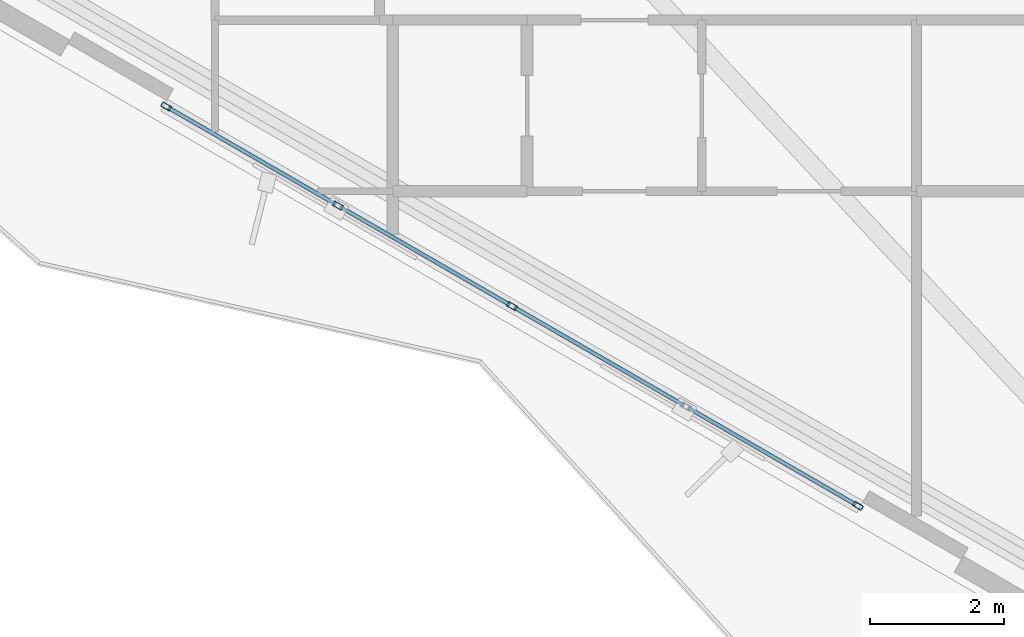
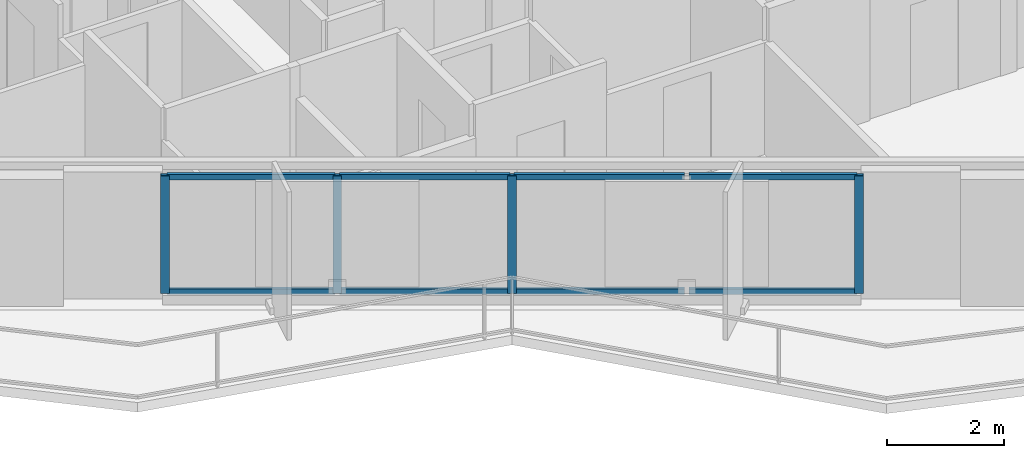
# One storey, part 2 of 18: 12 members, 1 element without a shape of its own.
"""IFC4 building model written with IfcOpenShell, lengths in metres."""

from ifc_helpers import new_model, si_unit, direction, frame, origin, origin_2d, place, context, subcontext, project, spatial, hollow_rectangle, extrude, material, layer, layer_set, material_profile, profile_set, type_object, element, aggregate, save


model = new_model("IFC4")

# Units and contexts
model_context = context("Model", 3, precision=1e-05, world=origin(), true_north=direction((0.0, 1.0)))
body_context = subcontext(model_context, "Body", "Model", "MODEL_VIEW")
ifc_project = project(units=[si_unit("LENGTHUNIT", "METRE"), si_unit("AREAUNIT", "SQUARE_METRE"), si_unit("VOLUMEUNIT", "CUBIC_METRE"), si_unit("PLANEANGLEUNIT", "RADIAN"), si_unit("MASSUNIT", "GRAM", prefix="KILO")], contexts=[model_context])

# Site, building, storey
site_placement = place(None, origin())
site = spatial("IfcSite", under=ifc_project, at=site_placement, CompositionType="ELEMENT")
building_placement = place(site_placement, origin())
building = spatial("IfcBuilding", under=site, at=building_placement, Name="Mersakhor Tower and Convention Hall", CompositionType="ELEMENT")
storey_placement = place(building_placement, frame((0.0, 0.0, 55.5)))
storey = spatial("IfcBuildingStorey", under=building, at=storey_placement, Name="L15", CompositionType="ELEMENT", Elevation=55.5)

# Curtain wall, members
ifc_material_1 = material(Name="Dark solar low-E aluminium curtain wall", Category="aluminium")
ifc_layer = layer(ifc_material_1, 0.159912109375)
ifc_layer_set = layer_set([ifc_layer], Name="Dark solar low-E aluminium curtain wall")
curtain_wall_type = type_object("IfcCurtainWallType", Name="CW-SYS-01", PredefinedType="USERDEFINED", material=ifc_layer_set)
curtain_wall_placement = place(storey_placement, origin())
curtain_wall = element("IfcCurtainWall", 1, at=curtain_wall_placement, inside=storey, type_object=curtain_wall_type, Name="L15 Dark-Glass Curtain Wall F3-B2", ObjectType="CURTAIN WALL", PredefinedType="USERDEFINED")
ifc_material_2 = material(Name="Anodised aluminium EN AW-6063 T6", Category="aluminium")
ifc_material_profile_1 = material_profile(ifc_material_2, hollow_rectangle(XDim=0.074951171875, YDim=0.14990234375, WallThickness=0.00634765625, at=origin_2d()), Name="RHS 150x75x6.3")
ifc_profile_set_1 = profile_set([ifc_material_profile_1], Name="Anodised aluminium EN AW-6063 T6")
member_type_1 = type_object("IfcMemberType", Name="CWM-150x75", PredefinedType="MULLION", material=ifc_profile_set_1)
member_1_placement = place(storey_placement, frame((26.72705078125, 10.9150390625, 0.199951171875), z_axis=(0.0, 0.0, 1.0), x_axis=(-0.50000344889, -0.866023412558, 0.0)))
member_1 = element("IfcMember", 2, at=member_1_placement, type_object=member_type_1, Name="CW-01 mullion 1", PredefinedType="MULLION", context=body_context, shape_type="SweptSolid", body=[
    extrude(hollow_rectangle(XDim=0.074951171875, YDim=0.14990234375, WallThickness=0.00634765625, at=origin_2d()), origin(), (0.0, 0.0, 1.0), 2.4599609375),
])
member_2_placement = place(storey_placement, frame((21.574951171875, 13.889404296875, 0.199951171875), z_axis=(0.0, 0.0, 1.0), x_axis=(-0.50000344889, -0.866023412558, 0.0)))
member_2 = element("IfcMember", 3, at=member_2_placement, type_object=member_type_1, Name="CW-01 mullion 3", PredefinedType="MULLION", context=body_context, shape_type="SweptSolid", body=[
    extrude(hollow_rectangle(XDim=0.074951171875, YDim=0.14990234375, WallThickness=0.00634765625, at=origin_2d()), origin(), (0.0, 0.0, 1.0), 2.4599609375),
])
member_3_placement = place(storey_placement, frame((18.982666015625, 15.38623046875, 0.199951171875), z_axis=(0.0, 0.0, 1.0), x_axis=(-0.50000344889, -0.866023412558, 0.0)))
member_3 = element("IfcMember", 4, at=member_3_placement, type_object=member_type_1, Name="CW-01 mullion 4", PredefinedType="MULLION", context=body_context, shape_type="SweptSolid", body=[
    extrude(hollow_rectangle(XDim=0.074951171875, YDim=0.14990234375, WallThickness=0.00634765625, at=origin_2d()), origin(), (0.0, 0.0, 1.0), 2.4599609375),
])
member_4_placement = place(storey_placement, frame((16.423095703125, 16.864013671875, 0.199951171875), z_axis=(0.0, 0.0, 1.0), x_axis=(-0.50000344889, -0.866023412558, 0.0)))
member_4 = element("IfcMember", 5, at=member_4_placement, type_object=member_type_1, Name="CW-01 mullion 5", PredefinedType="MULLION", context=body_context, shape_type="SweptSolid", body=[
    extrude(hollow_rectangle(XDim=0.074951171875, YDim=0.14990234375, WallThickness=0.00634765625, at=origin_2d()), origin(), (0.0, 0.0, 1.0), 2.4599609375),
])
ifc_material_3 = material(Name="Anodised aluminium EN AW-6063 T6", Category="aluminium")
ifc_material_profile_2 = material_profile(ifc_material_3, hollow_rectangle(XDim=0.06005859375, YDim=0.1201171875, WallThickness=0.0048828125, at=origin_2d()), Name="RHS 120x60x5")
ifc_profile_set_2 = profile_set([ifc_material_profile_2], Name="Anodised aluminium EN AW-6063 T6")
member_type_2 = type_object("IfcMemberType", Name="CWT-120x60", PredefinedType="USERDEFINED", material=ifc_profile_set_2)
member_5_placement = place(storey_placement, frame((26.694580078125, 10.93359375, 0.22998046875), z_axis=(-0.866023290103, 0.500003660985, 0.0), x_axis=(-0.500003660985, -0.866023290103, 0.0)))
member_5 = element("IfcMember", 6, at=member_5_placement, type_object=member_type_2, Name="CW-01 transom 1.1", ObjectType="TRANSOM", PredefinedType="USERDEFINED", context=body_context, shape_type="SweptSolid", body=[
    extrude(hollow_rectangle(XDim=0.06005859375, YDim=0.1201171875, WallThickness=0.0048828125, at=origin_2d()), origin(), (0.0, 0.0, 1.0), 2.880859375),
])
member_6_placement = place(storey_placement, frame((26.694580078125, 10.93359375, 2.6298828125), z_axis=(-0.866023290103, 0.500003660985, 0.0), x_axis=(-0.500003660985, -0.866023290103, 0.0)))
member_6 = element("IfcMember", 7, at=member_6_placement, type_object=member_type_2, Name="CW-01 transom 1.2", ObjectType="TRANSOM", PredefinedType="USERDEFINED", context=body_context, shape_type="SweptSolid", body=[
    extrude(hollow_rectangle(XDim=0.06005859375, YDim=0.1201171875, WallThickness=0.0048828125, at=origin_2d()), origin(), (0.0, 0.0, 1.0), 2.880859375),
])
member_7_placement = place(storey_placement, frame((24.134765625, 12.41162109375, 0.22998046875), z_axis=(-0.866015622527, 0.500016941252, 0.0), x_axis=(-0.500016941252, -0.866015622527, 0.0)))
member_7 = element("IfcMember", 8, at=member_7_placement, type_object=member_type_2, Name="CW-01 transom 2.1", ObjectType="TRANSOM", PredefinedType="USERDEFINED", context=body_context, shape_type="SweptSolid", body=[
    extrude(hollow_rectangle(XDim=0.06005859375, YDim=0.1201171875, WallThickness=0.0048828125, at=origin_2d()), origin(), (0.0, 0.0, 1.0), 2.91845703125),
])
member_8_placement = place(storey_placement, frame((24.134765625, 12.41162109375, 2.6298828125), z_axis=(-0.866015622527, 0.500016941252, 0.0), x_axis=(-0.500016941252, -0.866015622527, 0.0)))
member_8 = element("IfcMember", 9, at=member_8_placement, type_object=member_type_2, Name="CW-01 transom 2.2", ObjectType="TRANSOM", PredefinedType="USERDEFINED", context=body_context, shape_type="SweptSolid", body=[
    extrude(hollow_rectangle(XDim=0.06005859375, YDim=0.1201171875, WallThickness=0.0048828125, at=origin_2d()), origin(), (0.0, 0.0, 1.0), 2.91845703125),
])
member_9_placement = place(storey_placement, frame((21.54248046875, 13.908203125, 0.22998046875), z_axis=(-0.866015622527, 0.500016941252, 0.0), x_axis=(-0.500016941252, -0.866015622527, 0.0)))
member_9 = element("IfcMember", 10, at=member_9_placement, type_object=member_type_2, Name="CW-01 transom 3.1", ObjectType="TRANSOM", PredefinedType="USERDEFINED", context=body_context, shape_type="SweptSolid", body=[
    extrude(hollow_rectangle(XDim=0.06005859375, YDim=0.1201171875, WallThickness=0.0048828125, at=origin_2d()), origin(), (0.0, 0.0, 1.0), 2.91845703125),
])
member_10_placement = place(storey_placement, frame((21.54248046875, 13.908203125, 2.6298828125), z_axis=(-0.866015622527, 0.500016941252, 0.0), x_axis=(-0.500016941252, -0.866015622527, 0.0)))
member_10 = element("IfcMember", 11, at=member_10_placement, type_object=member_type_2, Name="CW-01 transom 3.2", ObjectType="TRANSOM", PredefinedType="USERDEFINED", context=body_context, shape_type="SweptSolid", body=[
    extrude(hollow_rectangle(XDim=0.06005859375, YDim=0.1201171875, WallThickness=0.0048828125, at=origin_2d()), origin(), (0.0, 0.0, 1.0), 2.91845703125),
])
member_11_placement = place(storey_placement, frame((18.9501953125, 15.40478515625, 0.22998046875), z_axis=(-0.866002100865, 0.500040359669, 0.0), x_axis=(-0.500040359669, -0.866002100865, 0.0)))
member_11 = element("IfcMember", 12, at=member_11_placement, type_object=member_type_2, Name="CW-01 transom 4.1", ObjectType="TRANSOM", PredefinedType="USERDEFINED", context=body_context, shape_type="SweptSolid", body=[
    extrude(hollow_rectangle(XDim=0.06005859375, YDim=0.1201171875, WallThickness=0.0048828125, at=origin_2d()), origin(), (0.0, 0.0, 1.0), 2.880615234375),
])
member_12_placement = place(storey_placement, frame((18.9501953125, 15.40478515625, 2.6298828125), z_axis=(-0.866002100865, 0.500040359669, 0.0), x_axis=(-0.500040359669, -0.866002100865, 0.0)))
member_12 = element("IfcMember", 13, at=member_12_placement, type_object=member_type_2, Name="CW-01 transom 4.2", ObjectType="TRANSOM", PredefinedType="USERDEFINED", context=body_context, shape_type="SweptSolid", body=[
    extrude(hollow_rectangle(XDim=0.06005859375, YDim=0.1201171875, WallThickness=0.0048828125, at=origin_2d()), origin(), (0.0, 0.0, 1.0), 2.880615234375),
])
aggregate(curtain_wall, [member_1, member_2, member_3, member_4, member_5, member_6, member_7, member_8, member_9, member_10, member_11, member_12])

save(model, "model.ifc")
